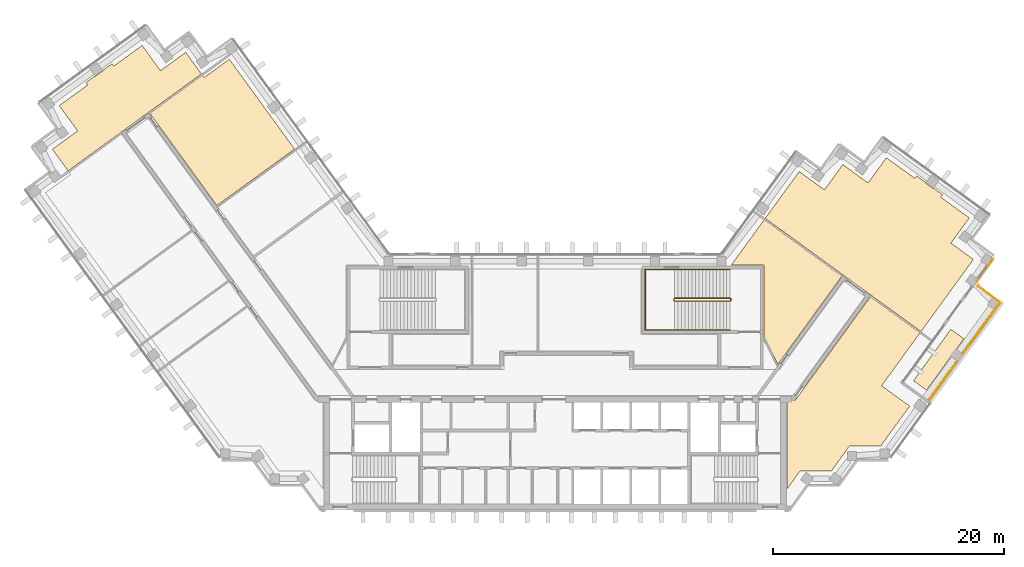
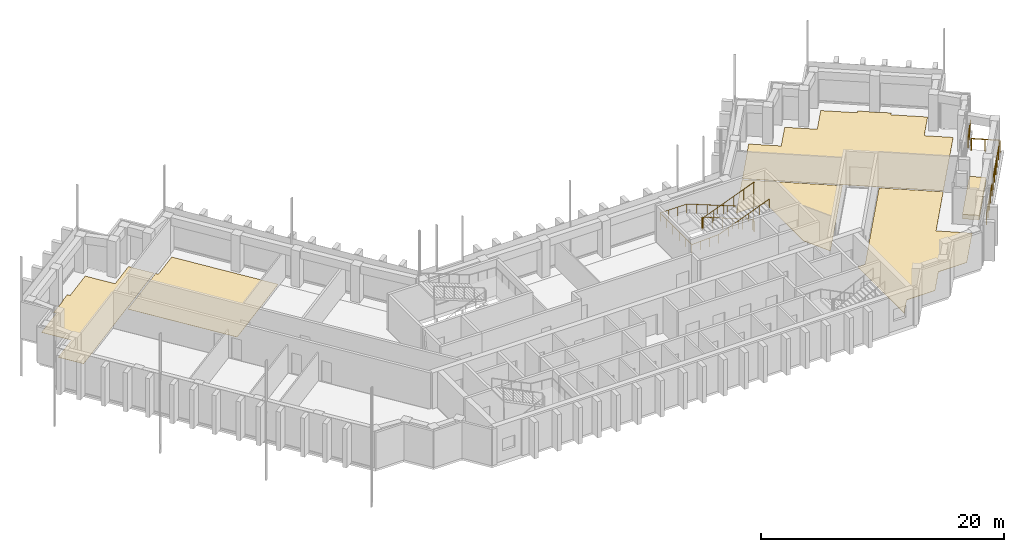
# One storey, part 14 of 14: 6 coverings, 6 railings.
"""IFC4 building model written with IfcOpenShell, lengths in metres."""

from ifc_helpers import new_model, si_unit, direction, frame, origin, origin_2d, place, context, subcontext, project, spatial, polyline, circle, outline, extrude, material, layer, layer_set, type_object, element, save


model = new_model("IFC4")

# Units and contexts
model_context = context("Model", 3, precision=1e-05, world=origin(), true_north=direction((0.0, 1.0)))
body_context = subcontext(model_context, "Body", "Model", "MODEL_VIEW")
ifc_project = project(units=[si_unit("LENGTHUNIT", "METRE"), si_unit("AREAUNIT", "SQUARE_METRE"), si_unit("VOLUMEUNIT", "CUBIC_METRE"), si_unit("PLANEANGLEUNIT", "RADIAN"), si_unit("MASSUNIT", "GRAM", prefix="KILO")], contexts=[model_context])

# Site, building, storey
site_placement = place(None, origin())
site = spatial("IfcSite", under=ifc_project, at=site_placement, CompositionType="ELEMENT")
building_placement = place(site_placement, origin())
building = spatial("IfcBuilding", under=site, at=building_placement, Name="Quipu Civic Tower", CompositionType="ELEMENT")
storey_placement = place(building_placement, frame((0.0, 0.0, 198.0)))
storey = spatial("IfcBuildingStorey", under=building, at=storey_placement, Name="L46", CompositionType="ELEMENT", Elevation=198.0)

# Coverings
ifc_material_1 = material(Name="Carpet tile on raised access floor")
ifc_layer_1 = layer(ifc_material_1, 0.02001953125)
ifc_layer_set_1 = layer_set([ifc_layer_1], Name="Carpet tile on raised access floor")
covering_type_1 = type_object("IfcCoveringType", Name="Carpet tile floor finish 20", PredefinedType="FLOORING", material=ifc_layer_set_1)
covering_1_placement = place(storey_placement, origin())
element("IfcCovering", 1, at=covering_1_placement, inside=storey, type_object=covering_type_1, Name="Carpet tile floor finish 20", PredefinedType="FLOORING", context=body_context, shape_type="SweptSolid", body=[
    extrude(outline(polyline([(15.238037109375, 10.169921875), (18.089111328125, 14.093994140625), (24.81201171875, 9.2109375), (19.27197265625, 1.583984375), (18.070068359375, 3.94189453125), (18.070068359375, 10.1689453125), (15.238037109375, 10.169921875)])), origin(), (0.0, 0.0, 1.0), 0.02001953125),
])
covering_2_placement = place(storey_placement, origin())
element("IfcCovering", 2, at=covering_2_placement, inside=storey, type_object=covering_type_1, Name="Carpet tile floor finish 20", PredefinedType="FLOORING", context=body_context, shape_type="SweptSolid", body=[
    extrude(outline(polyline([(-35.0400390625, 23.2880859375), (-30.5009765625, 26.583984375), (-30.35302734375, 26.383056640625), (-28.169921875, 27.968994140625), (-22.52490234375, 20.197998046875), (-29.248046875, 15.31396484375), (-35.0400390625, 23.2880859375)])), origin(), (0.0, 0.0, 1.0), 0.02001953125),
])
covering_3_placement = place(storey_placement, origin())
element("IfcCovering", 3, at=covering_3_placement, inside=storey, type_object=covering_type_1, Name="Carpet tile floor finish 20", PredefinedType="FLOORING", context=body_context, shape_type="SweptSolid", body=[
    extrude(outline(polyline([(20.070068359375, -9.195068359375), (20.070068359375, -1.52001953125), (20.77490234375, -1.51904296875), (27.27197265625, 7.423095703125), (31.568115234375, 4.302978515625), (28.248046875, -0.26806640625), (30.674072265625, -2.031982421875), (28.181884765625, -5.4609375), (25.48193359375, -5.4619140625), (23.89501953125, -7.64599609375), (21.196044921875, -7.64599609375), (20.070068359375, -9.195068359375)])), origin(), (0.0, 0.0, 1.0), 0.02001953125),
])
covering_4_placement = place(storey_placement, origin())
element("IfcCovering", 4, at=covering_4_placement, inside=storey, type_object=covering_type_1, Name="Carpet tile floor finish 20", PredefinedType="FLOORING", context=body_context, shape_type="SweptSolid", body=[
    extrude(outline(polyline([(18.172119140625, 14.20703125), (21.116943359375, 18.260986328125), (23.301025390625, 16.675048828125), (24.887939453125, 18.85791015625), (27.073974609375, 17.27197265625), (28.658935546875, 19.455078125), (31.116943359375, 17.6708984375), (31.27099609375, 17.8798828125), (32.032958984375, 17.325927734375), (32.032958984375, 17.324951171875), (32.031005859375, 17.321044921875), (32.030029296875, 17.31591796875), (32.029052734375, 17.31103515625), (32.028076171875, 17.305908203125), (32.028076171875, 17.302001953125), (32.029052734375, 17.297119140625), (32.030029296875, 17.2919921875), (32.031005859375, 17.287109375), (32.032958984375, 17.282958984375), (32.035888671875, 17.278076171875), (32.0380859375, 17.27392578125), (32.041015625, 17.27099609375), (32.044921875, 17.26708984375), (32.049072265625, 17.263916015625), (32.696044921875, 16.7939453125), (32.699951171875, 16.791015625), (32.7041015625, 16.7890625), (32.708984375, 16.787109375), (32.714111328125, 16.785888671875), (32.718994140625, 16.784912109375), (32.722900390625, 16.783935546875), (32.72802734375, 16.783935546875), (32.73291015625, 16.784912109375), (32.738037109375, 16.785888671875), (32.742919921875, 16.787109375), (32.7470703125, 16.7890625), (32.751953125, 16.7919921875), (32.756103515625, 16.7939453125), (32.759033203125, 16.798095703125), (32.760009765625, 16.798095703125), (33.52197265625, 16.2451171875), (33.3701171875, 16.032958984375), (35.826904296875, 14.248046875), (34.240966796875, 12.06396484375), (36.181884765625, 10.653076171875), (31.65087890625, 4.416015625), (18.172119140625, 14.20703125)])), origin(), (0.0, 0.0, 1.0), 0.02001953125),
])
covering_5_placement = place(storey_placement, origin())
element("IfcCovering", 5, at=covering_5_placement, inside=storey, type_object=covering_type_1, Name="Carpet tile floor finish 20", PredefinedType="FLOORING", context=body_context, shape_type="SweptSolid", body=[
    extrude(outline(polyline([(-43.47802734375, 20.18505859375), (-41.2939453125, 21.77294921875), (-42.881103515625, 23.95703125), (-40.424072265625, 25.740966796875), (-40.574951171875, 25.952880859375), (-39.81298828125, 26.507080078125), (-39.80908203125, 26.5029296875), (-39.804931640625, 26.5009765625), (-39.801025390625, 26.498046875), (-39.7958984375, 26.49609375), (-39.7919921875, 26.4951171875), (-39.787109375, 26.493896484375), (-39.781982421875, 26.492919921875), (-39.777099609375, 26.492919921875), (-39.77197265625, 26.493896484375), (-39.76806640625, 26.4951171875), (-39.762939453125, 26.49609375), (-39.758056640625, 26.498046875), (-39.75390625, 26.5), (-39.75, 26.5029296875), (-39.10302734375, 26.972900390625), (-39.09912109375, 26.97607421875), (-39.094970703125, 26.97998046875), (-39.092041015625, 26.98291015625), (-39.089111328125, 26.987060546875), (-39.0869140625, 26.991943359375), (-39.0849609375, 26.99609375), (-39.083984375, 27.0009765625), (-39.0830078125, 27.006103515625), (-39.08203125, 27.010986328125), (-39.08203125, 27.014892578125), (-39.08203125, 27.02001953125), (-39.0830078125, 27.02490234375), (-39.0849609375, 27.030029296875), (-39.0869140625, 27.033935546875), (-38.324951171875, 27.587890625), (-38.169921875, 27.37890625), (-35.712890625, 29.1640625), (-34.126953125, 26.97998046875), (-31.94189453125, 28.56591796875), (-30.583984375, 26.697021484375), (-42.12109375, 18.31591796875), (-43.47802734375, 20.18505859375)])), origin(), (0.0, 0.0, 1.0), 0.02001953125),
])
ifc_material_2 = material(Name="Planting soil on drainage board")
ifc_layer_2 = layer(ifc_material_2, 0.449951171875)
ifc_layer_set_2 = layer_set([ifc_layer_2], Name="Planting soil on drainage board")
covering_type_2 = type_object("IfcCoveringType", Name="Planted terrace build-up", PredefinedType="FLOORING", material=ifc_layer_set_2)
covering_6_placement = place(storey_placement, origin())
element("IfcCovering", 6, at=covering_6_placement, inside=storey, type_object=covering_type_2, Name="Planted terrace L46 bed 1", PredefinedType="FLOORING", context=body_context, shape_type="SweptSolid", body=[
    extrude(outline(polyline([(34.231201171875, 4.6162109375), (35.364013671875, 3.793212890625), (32.13134765625, -0.656005859375), (30.998779296875, 0.1669921875), (34.231201171875, 4.6162109375)])), origin(), (0.0, 0.0, 1.0), 0.449951171875),
])

# Railings
ifc_material_3 = material(Name="Stainless steel", Category="steel")
railing_type_1 = type_object("IfcRailingType", Name="Stair guard 1100", PredefinedType="GUARDRAIL", material=ifc_material_3)
railing_1_placement = place(storey_placement, frame((15.14990234375, 7.300048828125, 0.11767578125)))
element("IfcRailing", 7, at=railing_1_placement, inside=storey, type_object=railing_type_1, Name="Stair 4 guard", PredefinedType="GUARDRAIL", context=body_context, shape_type="SweptSolid", body=[
    extrude(circle(Radius=0.02392578125, at=origin_2d()), frame((0.0, 0.0, 1.076171875), z_axis=(-0.930970042603, 0.0, 0.365095576219), x_axis=(0.0, -1.0, 0.0)), (0.0, 0.0, 1.0), 5.15576171875),
    extrude(circle(Radius=0.02392578125, at=origin_2d()), frame((-4.7998046875, 0.0, 2.95849609375), z_axis=(-0.707106781187, -0.707106781187, 0.0), x_axis=(0.707106781187, -0.707106781187, 0.0)), (0.0, 0.0, 1.0), 0.07080078125),
    extrude(circle(Radius=0.02392578125, at=origin_2d()), frame((-4.849853515625, -0.050048828125, 2.95849609375), z_axis=(0.0, -1.0, 0.0), x_axis=(1.0, 0.0, 0.0)), (0.0, 0.0, 1.0), 0.14990234375),
    extrude(circle(Radius=0.02392578125, at=origin_2d()), frame((-4.849853515625, -0.199951171875, 2.95849609375), z_axis=(0.364463019033, -0.364463019033, 0.856932561824), x_axis=(0.707106781187, 0.707106781187, 0.0)), (0.0, 0.0, 1.0), 0.13720703125),
    extrude(circle(Radius=0.02392578125, at=origin_2d()), frame((-4.7998046875, -0.25, 3.076171875), z_axis=(0.930970042603, 0.0, 0.365095576219), x_axis=(0.0, 1.0, 0.0)), (0.0, 0.0, 1.0), 5.15576171875),
    extrude(circle(Radius=0.02392578125, at=origin_2d()), frame((0.0, -0.25, 4.95849609375), z_axis=(0.012495627992, 0.049921557685, -0.998674970829), x_axis=(-0.970072785993, 0.242814311512, 0.0)), (0.0, 0.0, 1.0), 4.00537109375),
    extrude(circle(Radius=0.02392578125, at=origin_2d()), frame((0.050048828125, -0.050048828125, 0.95849609375), z_axis=(0.0, -1.0, 0.0), x_axis=(1.0, 0.0, 0.0)), (0.0, 0.0, 1.0), 0.14990234375),
    extrude(circle(Radius=0.02099609375, at=origin_2d()), origin(), (0.0, 0.0, 1.0), 1.052001953125),
    extrude(circle(Radius=0.02099609375, at=origin_2d()), frame((-0.9599609375, 0.0, 0.37646484375)), (0.0, 0.0, 1.0), 1.052001953125),
    extrude(circle(Radius=0.02099609375, at=origin_2d()), frame((-1.919921875, 0.0, 0.7529296875)), (0.0, 0.0, 1.0), 1.052001953125),
    extrude(circle(Radius=0.02099609375, at=origin_2d()), frame((-2.8798828125, 0.0, 1.12939453125)), (0.0, 0.0, 1.0), 1.052001953125),
    extrude(circle(Radius=0.02099609375, at=origin_2d()), frame((-3.83984375, 0.0, 1.505859375)), (0.0, 0.0, 1.0), 1.052001953125),
    extrude(circle(Radius=0.02099609375, at=origin_2d()), frame((-4.7998046875, 0.0, 1.88232421875)), (0.0, 0.0, 1.0), 1.052001953125),
    extrude(circle(Radius=0.02099609375, at=origin_2d()), frame((-4.849853515625, -0.050048828125, 1.88232421875)), (0.0, 0.0, 1.0), 1.052001953125),
    extrude(circle(Radius=0.02099609375, at=origin_2d()), frame((-4.849853515625, -0.199951171875, 1.88232421875)), (0.0, 0.0, 1.0), 1.052001953125),
    extrude(circle(Radius=0.02099609375, at=origin_2d()), frame((-4.7998046875, -0.25, 2.0)), (0.0, 0.0, 1.0), 1.052001953125),
    extrude(circle(Radius=0.02099609375, at=origin_2d()), frame((-3.83984375, -0.25, 2.37646484375)), (0.0, 0.0, 1.0), 1.052001953125),
    extrude(circle(Radius=0.02099609375, at=origin_2d()), frame((-2.8798828125, -0.25, 2.7529296875)), (0.0, 0.0, 1.0), 1.052001953125),
    extrude(circle(Radius=0.02099609375, at=origin_2d()), frame((-1.919921875, -0.25, 3.12939453125)), (0.0, 0.0, 1.0), 1.052001953125),
    extrude(circle(Radius=0.02099609375, at=origin_2d()), frame((-0.9599609375, -0.25, 3.505859375)), (0.0, 0.0, 1.0), 1.052001953125),
    extrude(circle(Radius=0.02099609375, at=origin_2d()), frame((0.0, -0.25, 3.88232421875)), (0.0, 0.0, 1.0), 1.052001953125),
    extrude(circle(Radius=0.02099609375, at=origin_2d()), frame((0.012451171875, -0.199951171875, 2.88232421875)), (0.0, 0.0, 1.0), 1.052001953125),
    extrude(circle(Radius=0.02099609375, at=origin_2d()), frame((0.02490234375, -0.14990234375, 1.88232421875)), (0.0, 0.0, 1.0), 1.052001953125),
    extrude(circle(Radius=0.02099609375, at=origin_2d()), frame((0.03759765625, -0.10009765625, 0.88232421875)), (0.0, 0.0, 1.0), 1.052001953125),
    extrude(circle(Radius=0.02099609375, at=origin_2d()), frame((0.050048828125, -0.050048828125, -0.11767578125)), (0.0, 0.0, 1.0), 1.052001953125),
    extrude(circle(Radius=0.02099609375, at=origin_2d()), frame((0.050048828125, -0.199951171875, -0.11767578125)), (0.0, 0.0, 1.0), 1.052001953125),
])
ifc_material_4 = material(Name="Stainless steel", Category="steel")
railing_type_2 = type_object("IfcRailingType", Name="Stair handrail", PredefinedType="HANDRAIL", material=ifc_material_4)
railing_2_placement = place(storey_placement, frame((15.14990234375, 9.800048828125, 0.11767578125)))
element("IfcRailing", 8, at=railing_2_placement, inside=storey, type_object=railing_type_2, Name="Stair 4 handrail", PredefinedType="HANDRAIL", context=body_context, shape_type="SweptSolid", body=[
    extrude(circle(Radius=0.02392578125, at=origin_2d()), frame((0.0, 0.0, 0.8759765625), z_axis=(-0.930970042603, 0.0, 0.365095576219), x_axis=(0.0, -1.0, 0.0)), (0.0, 0.0, 1.0), 5.15576171875),
    extrude(circle(Radius=0.02392578125, at=origin_2d()), frame((-4.7998046875, 0.0, 2.75830078125), z_axis=(-1.0, 0.0, 0.0), x_axis=(0.0, -1.0, 0.0)), (0.0, 0.0, 1.0), 2.550048828125),
    extrude(circle(Radius=0.02392578125, at=origin_2d()), frame((-7.349853515625, 0.0, 2.75830078125), z_axis=(0.0, -1.0, 0.0), x_axis=(1.0, 0.0, 0.0)), (0.0, 0.0, 1.0), 5.25),
    extrude(circle(Radius=0.02392578125, at=origin_2d()), frame((-7.349853515625, -5.25, 2.75830078125), z_axis=(0.998936948642, 0.0, 0.04609742549), x_axis=(0.0, 1.0, 0.0)), (0.0, 0.0, 1.0), 2.552734375),
    extrude(circle(Radius=0.02392578125, at=origin_2d()), frame((-4.7998046875, -5.25, 2.8759765625), z_axis=(0.930970042603, 0.0, 0.365095576219), x_axis=(0.0, 1.0, 0.0)), (0.0, 0.0, 1.0), 5.15576171875),
    extrude(circle(Radius=0.02099609375, at=origin_2d()), origin(), (0.0, 0.0, 1.0), 0.851806640625),
    extrude(circle(Radius=0.02099609375, at=origin_2d()), frame((-0.9599609375, 0.0, 0.37646484375)), (0.0, 0.0, 1.0), 0.851806640625),
    extrude(circle(Radius=0.02099609375, at=origin_2d()), frame((-1.919921875, 0.0, 0.7529296875)), (0.0, 0.0, 1.0), 0.851806640625),
    extrude(circle(Radius=0.02099609375, at=origin_2d()), frame((-2.8798828125, 0.0, 1.12939453125)), (0.0, 0.0, 1.0), 0.851806640625),
    extrude(circle(Radius=0.02099609375, at=origin_2d()), frame((-3.83984375, 0.0, 1.505859375)), (0.0, 0.0, 1.0), 0.851806640625),
    extrude(circle(Radius=0.02099609375, at=origin_2d()), frame((-4.7998046875, 0.0, 1.88232421875)), (0.0, 0.0, 1.0), 0.851806640625),
    extrude(circle(Radius=0.02099609375, at=origin_2d()), frame((-5.64990234375, 0.0, 1.88232421875)), (0.0, 0.0, 1.0), 0.851806640625),
    extrude(circle(Radius=0.02099609375, at=origin_2d()), frame((-6.499755859375, 0.0, 1.88232421875)), (0.0, 0.0, 1.0), 0.851806640625),
    extrude(circle(Radius=0.02099609375, at=origin_2d()), frame((-7.349853515625, 0.0, 1.88232421875)), (0.0, 0.0, 1.0), 0.851806640625),
    extrude(circle(Radius=0.02099609375, at=origin_2d()), frame((-7.349853515625, -1.050048828125, 1.88232421875)), (0.0, 0.0, 1.0), 0.851806640625),
    extrude(circle(Radius=0.02099609375, at=origin_2d()), frame((-7.349853515625, -2.10009765625, 1.88232421875)), (0.0, 0.0, 1.0), 0.851806640625),
    extrude(circle(Radius=0.02099609375, at=origin_2d()), frame((-7.349853515625, -3.14990234375, 1.88232421875)), (0.0, 0.0, 1.0), 0.851806640625),
    extrude(circle(Radius=0.02099609375, at=origin_2d()), frame((-7.349853515625, -4.199951171875, 1.88232421875)), (0.0, 0.0, 1.0), 0.851806640625),
    extrude(circle(Radius=0.02099609375, at=origin_2d()), frame((-7.349853515625, -5.25, 1.88232421875)), (0.0, 0.0, 1.0), 0.851806640625),
    extrude(circle(Radius=0.02099609375, at=origin_2d()), frame((-6.499755859375, -5.25, 1.921630859375)), (0.0, 0.0, 1.0), 0.851806640625),
    extrude(circle(Radius=0.02099609375, at=origin_2d()), frame((-5.64990234375, -5.25, 1.960693359375)), (0.0, 0.0, 1.0), 0.851806640625),
    extrude(circle(Radius=0.02099609375, at=origin_2d()), frame((-4.7998046875, -5.25, 2.0)), (0.0, 0.0, 1.0), 0.851806640625),
    extrude(circle(Radius=0.02099609375, at=origin_2d()), frame((-3.83984375, -5.25, 2.37646484375)), (0.0, 0.0, 1.0), 0.851806640625),
    extrude(circle(Radius=0.02099609375, at=origin_2d()), frame((-2.8798828125, -5.25, 2.7529296875)), (0.0, 0.0, 1.0), 0.851806640625),
    extrude(circle(Radius=0.02099609375, at=origin_2d()), frame((-1.919921875, -5.25, 3.12939453125)), (0.0, 0.0, 1.0), 0.851806640625),
    extrude(circle(Radius=0.02099609375, at=origin_2d()), frame((-0.9599609375, -5.25, 3.505859375)), (0.0, 0.0, 1.0), 0.851806640625),
    extrude(circle(Radius=0.02099609375, at=origin_2d()), frame((0.0, -5.25, 3.88232421875)), (0.0, 0.0, 1.0), 0.851806640625),
])
ifc_material_5 = material(Name="Steel S275", Category="steel")
railing_type_3 = type_object("IfcRailingType", Name="Terrace guard G1", PredefinedType="GUARDRAIL", material=ifc_material_5)
railing_3_placement = place(storey_placement, frame((32.328857421875, -1.541015625, 0.0)))
element("IfcRailing", 9, at=railing_3_placement, inside=storey, type_object=railing_type_3, Name="Terrace guard L46.1", PredefinedType="GUARDRAIL", context=body_context, shape_type="SweptSolid", body=[
    extrude(circle(Radius=0.02490234375, at=origin_2d()), frame((0.0, 0.0, 1.1748046875), z_axis=(0.587793418234, 0.809011061408, 0.0), x_axis=(-0.809011061408, 0.587793418234, 0.0)), (0.0, 0.0, 1.0), 4.145263671875),
    extrude(circle(Radius=0.02490234375, at=origin_2d()), origin(), (0.0, 0.0, 1.0), 1.14990234375),
    extrude(circle(Radius=0.02490234375, at=origin_2d()), frame((0.609130859375, 0.83837890625, 0.0)), (0.0, 0.0, 1.0), 1.14990234375),
    extrude(circle(Radius=0.02490234375, at=origin_2d()), frame((1.21826171875, 1.6767578125, 0.0)), (0.0, 0.0, 1.0), 1.14990234375),
    extrude(circle(Radius=0.02490234375, at=origin_2d()), frame((1.827392578125, 2.51513671875, 0.0)), (0.0, 0.0, 1.0), 1.14990234375),
    extrude(circle(Radius=0.02490234375, at=origin_2d()), frame((2.4365234375, 3.353515625, 0.0)), (0.0, 0.0, 1.0), 1.14990234375),
])
railing_4_placement = place(storey_placement, frame((35.29443359375, 2.540771484375, 0.0)))
element("IfcRailing", 10, at=railing_4_placement, inside=storey, type_object=railing_type_3, Name="Terrace guard L46.2", PredefinedType="GUARDRAIL", context=body_context, shape_type="SweptSolid", body=[
    extrude(circle(Radius=0.02490234375, at=origin_2d()), frame((0.0, 0.0, 1.1748046875), z_axis=(0.587762255175, 0.809033702259, 0.0), x_axis=(-0.809033702259, 0.587762255175, 0.0)), (0.0, 0.0, 1.0), 5.3544921875),
    extrude(circle(Radius=0.02490234375, at=origin_2d()), origin(), (0.0, 0.0, 1.0), 1.14990234375),
    extrude(circle(Radius=0.02490234375, at=origin_2d()), frame((0.62939453125, 0.866455078125, 0.0)), (0.0, 0.0, 1.0), 1.14990234375),
    extrude(circle(Radius=0.02490234375, at=origin_2d()), frame((1.2587890625, 1.73291015625, 0.0)), (0.0, 0.0, 1.0), 1.14990234375),
    extrude(circle(Radius=0.02490234375, at=origin_2d()), frame((1.888427734375, 2.59912109375, 0.0)), (0.0, 0.0, 1.0), 1.14990234375),
    extrude(circle(Radius=0.02490234375, at=origin_2d()), frame((2.517822265625, 3.465576171875, 0.0)), (0.0, 0.0, 1.0), 1.14990234375),
    extrude(circle(Radius=0.02490234375, at=origin_2d()), frame((3.147216796875, 4.33203125, 0.0)), (0.0, 0.0, 1.0), 1.14990234375),
])
railing_5_placement = place(storey_placement, frame((38.424072265625, 6.984375, 0.0)))
element("IfcRailing", 11, at=railing_5_placement, inside=storey, type_object=railing_type_3, Name="Terrace guard L46.3", PredefinedType="GUARDRAIL", context=body_context, shape_type="SweptSolid", body=[
    extrude(circle(Radius=0.02490234375, at=origin_2d()), frame((0.0, 0.0, 1.1748046875), z_axis=(-0.808965535219, 0.587856073225, 0.0), x_axis=(-0.587856073225, -0.808965535219, 0.0)), (0.0, 0.0, 1.0), 2.300048828125),
    extrude(circle(Radius=0.02490234375, at=origin_2d()), origin(), (0.0, 0.0, 1.0), 1.14990234375),
    extrude(circle(Radius=0.02490234375, at=origin_2d()), frame((-0.93017578125, 0.676025390625, 0.0)), (0.0, 0.0, 1.0), 1.14990234375),
    extrude(circle(Radius=0.02490234375, at=origin_2d()), frame((-1.860595703125, 1.35205078125, 0.0)), (0.0, 0.0, 1.0), 1.14990234375),
])
railing_6_placement = place(storey_placement, frame((36.49267578125, 8.783447265625, 0.0)))
element("IfcRailing", 12, at=railing_6_placement, inside=storey, type_object=railing_type_3, Name="Terrace guard L46.4", PredefinedType="GUARDRAIL", context=body_context, shape_type="SweptSolid", body=[
    extrude(circle(Radius=0.02490234375, at=origin_2d()), frame((0.0, 0.0, 1.1748046875), z_axis=(0.587786599794, 0.809016015356, 0.0), x_axis=(-0.809016015356, 0.587786599794, 0.0)), (0.0, 0.0, 1.0), 2.2998046875),
    extrude(circle(Radius=0.02490234375, at=origin_2d()), origin(), (0.0, 0.0, 1.0), 1.14990234375),
    extrude(circle(Radius=0.02490234375, at=origin_2d()), frame((0.67578125, 0.93017578125, 0.0)), (0.0, 0.0, 1.0), 1.14990234375),
    extrude(circle(Radius=0.02490234375, at=origin_2d()), frame((1.351806640625, 1.860595703125, 0.0)), (0.0, 0.0, 1.0), 1.14990234375),
])

save(model, "model.ifc")
